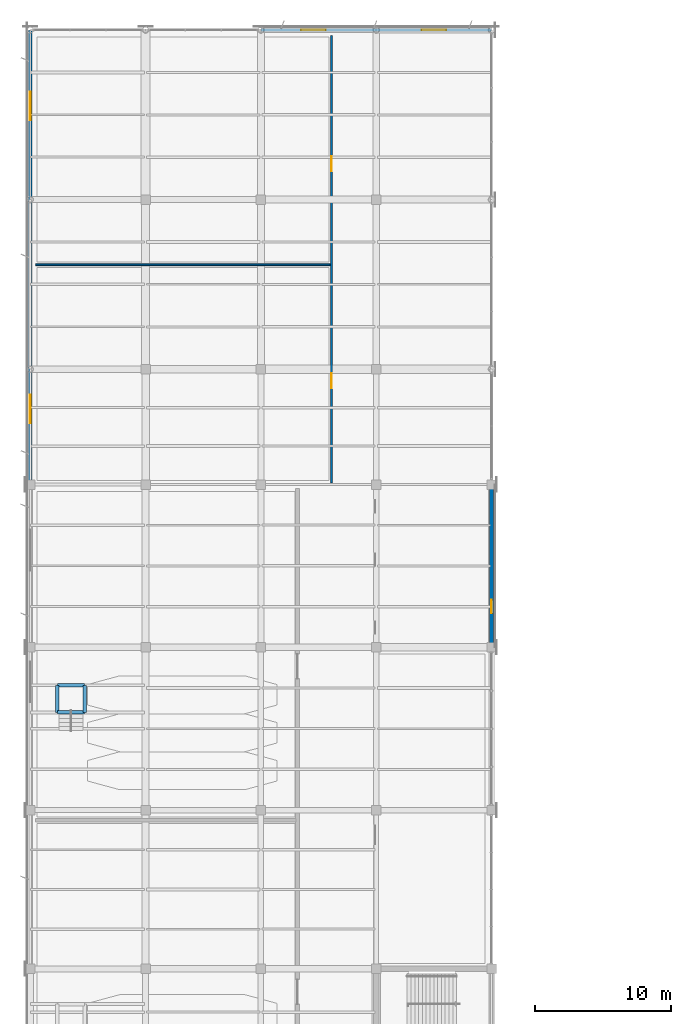
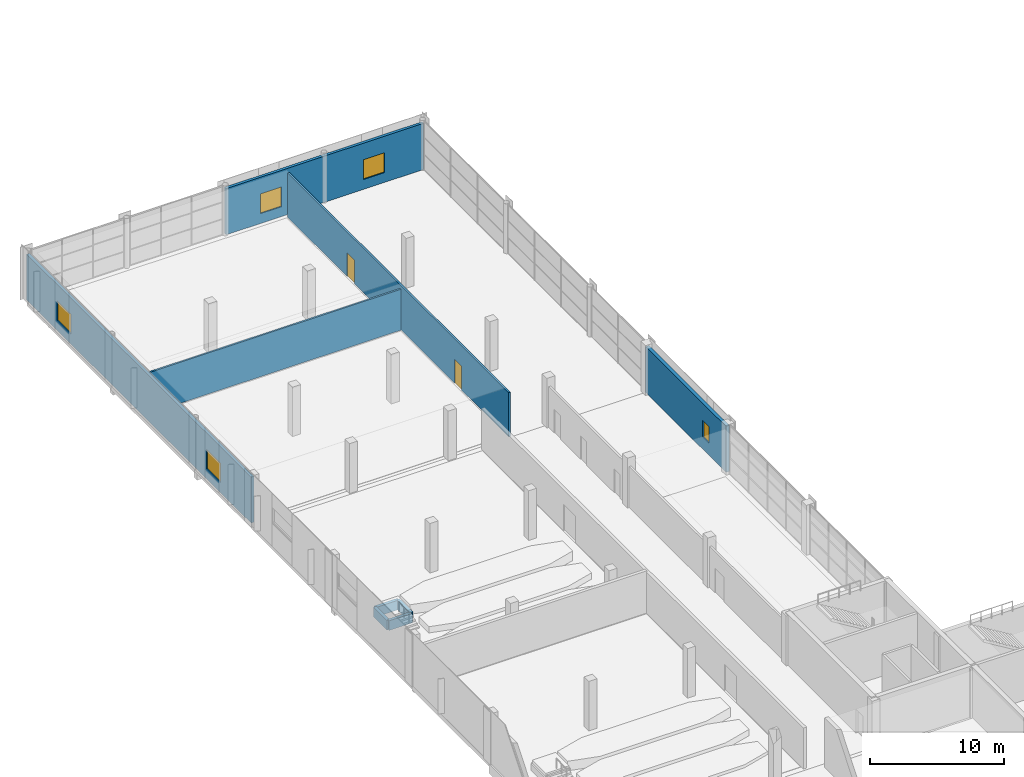
# One storey, part 93 of 112: 9 walls, 5 windows, 2 doors, 7 openings.
"""IFC4 building model written with IfcOpenShell, lengths in metres."""

from ifc_helpers import new_model, si_unit, direction, frame, frame_2d, origin, place, context, subcontext, project, spatial, rectangle, extrude, material, layer, layer_set, type_object, element, fill, save


model = new_model("IFC4")

# Units and contexts
model_context = context("Model", 3, precision=1e-05, world=origin(), true_north=direction((0.0, 1.0)))
body_context = subcontext(model_context, "Body", "Model", "MODEL_VIEW")
ifc_project = project(units=[si_unit("LENGTHUNIT", "METRE"), si_unit("AREAUNIT", "SQUARE_METRE"), si_unit("VOLUMEUNIT", "CUBIC_METRE"), si_unit("PLANEANGLEUNIT", "RADIAN"), si_unit("MASSUNIT", "GRAM", prefix="KILO")], contexts=[model_context])

# Site, building, storey
site_placement = place(None, origin())
site = spatial("IfcSite", under=ifc_project, at=site_placement, CompositionType="ELEMENT")
building_placement = place(site_placement, origin())
building = spatial("IfcBuilding", under=site, at=building_placement, Name="Solvikara Media Centre", CompositionType="ELEMENT")
storey_placement = place(building_placement, frame((0.0, 0.0, 5.39990234375)))
storey = spatial("IfcBuildingStorey", under=building, at=storey_placement, Name="L01", CompositionType="ELEMENT", Elevation=5.39990234375)

# Walls
ifc_material_1 = material(Name="Concrete fc' 45 MPa (C45/55)", Category="concrete")
ifc_layer_1 = layer(ifc_material_1, 0.25)
ifc_layer_set_1 = layer_set([ifc_layer_1], Name="Concrete fc' 45 MPa (C45/55)")
wall_type_1 = type_object("IfcWallType", Name="WT-07", PredefinedType="STANDARD", material=ifc_layer_set_1)
for number, where, z_axis, x_axis, name in (
    (1, (2.0, 63.699951171875, -0.260009765625), (0.0, 0.0, 1.0), (1.0, 0.0, 0.0), "VW-ST-MX5-AISLE-1"),
    (2, (2.0, 65.699951171875, -0.260009765625), (0.0, 0.0, 1.0), (1.0, 0.0, 0.0), "VW-ST-MX5-AISLE-2"),
    (3, (4.0, 63.699951171875, -0.260009765625), (0.0, 0.0, 1.0), (0.0, 1.0, 0.0), "VW-ST-MX5-AISLE-3"),
    (4, (2.0, 63.699951171875, -0.260009765625), (0.0, 0.0, 1.0), (0.0, 1.0, 0.0), "VW-ST-MX5-AISLE-4"),
):
    element("IfcWall", number, at=place(storey_placement, frame(where, z_axis=z_axis, x_axis=x_axis)), inside=storey, type_object=wall_type_1, Name=name, PredefinedType="STANDARD", context=body_context, shape_type="SweptSolid", body=[
        extrude(rectangle(XDim=2.0, YDim=0.25, at=frame_2d((1.0, 0.0))), origin(), (0.0, 0.0, 1.0), 0.8701171875),
    ])

# Wall, opening, window
ifc_material_2 = material(Name="Precast concrete fc' 40 MPa (C40/50)", Category="concrete")
ifc_layer_2 = layer(ifc_material_2, 0.2900390625)
ifc_layer_set_2 = layer_set([ifc_layer_2], Name="Precast concrete fc' 40 MPa (C40/50)")
wall_type_2 = type_object("IfcWallType", Name="WT-11", PredefinedType="STANDARD", material=ifc_layer_set_2)
wall_1_placement = place(storey_placement, frame((34.0, 68.5, 0.0), z_axis=(0.0, 0.0, 1.0), x_axis=(0.0, 1.0, 0.0)))
wall_1 = element("IfcWall", 5, at=wall_1_placement, inside=storey, type_object=wall_type_2, Name="EW-L01-V4-E", PredefinedType="STANDARD", context=body_context, shape_type="SweptSolid", body=[
    extrude(rectangle(XDim=12.0, YDim=0.2900390625, at=frame_2d((6.0, 0.0))), origin(), (0.0, 0.0, 1.0), 4.177978515625),
])
opening_1_placement = place(wall_1_placement, frame((2.5, 0.0, 1.10009765625)))
opening_1 = element("IfcOpeningElement", 6, at=opening_1_placement, cuts=wall_1, Name="Opening W-L01-V4E-W01", PredefinedType="OPENING", context=body_context, shape_type="SweptSolid", body=[
    extrude(rectangle(XDim=1.0, YDim=1.5, at=frame_2d((0.5, 0.75))), frame((0.0, 0.156982421875, 0.0), z_axis=(0.0, -1.0, 0.0), x_axis=(1.0, 0.0, 0.0)), (0.0, 0.0, 1.0), 0.31396484375),
])
ifc_material_3 = material(Name="Double-glazed low-E architectural glass", Category="glass")
window_type_1 = type_object("IfcWindowType", Name="WN-11", PartitioningType="SINGLE_PANEL", PredefinedType="WINDOW", material=ifc_material_3)
window_1_placement = place(opening_1_placement, origin())
window_1 = element("IfcWindow", 7, at=window_1_placement, inside=storey, type_object=window_type_1, Name="W-L01-V4E-W01", OverallHeight=1.5, OverallWidth=1.0, PartitioningType="SINGLE_PANEL", PredefinedType="WINDOW", context=body_context, shape_type="SweptSolid", body=[
    extrude(rectangle(XDim=1.0, YDim=1.5, at=frame_2d((0.5, 0.75))), frame((0.0, 0.030029296875, 0.0), z_axis=(0.0, -1.0, 0.0), x_axis=(1.0, 0.0, 0.0)), (0.0, 0.0, 1.0), 0.06005859375),
])
fill(opening_1, window_1)

# Wall, openings, windows
ifc_layer_3 = layer(ifc_material_2, 0.239990234375)
ifc_layer_set_3 = layer_set([ifc_layer_3], Name="Precast concrete fc' 40 MPa (C40/50)")
wall_type_3 = type_object("IfcWallType", Name="WT-13", PredefinedType="STANDARD", material=ifc_layer_set_3)
wall_2_placement = place(storey_placement, frame((0.0, 80.5, 0.0), z_axis=(0.0, 0.0, 1.0), x_axis=(0.0, 1.0, 0.0)))
wall_2 = element("IfcWall", 8, at=wall_2_placement, inside=storey, type_object=wall_type_3, Name="EW-L01-V3-W", PredefinedType="STANDARD", context=body_context, shape_type="SweptSolid", body=[
    extrude(rectangle(XDim=33.5, YDim=0.239990234375, at=frame_2d((16.75, 0.0))), origin(), (0.0, 0.0, 1.0), 4.168212890625),
])
opening_2_placement = place(wall_2_placement, frame((4.532958984375, 0.0, 0.89990234375)))
opening_2 = element("IfcOpeningElement", 9, at=opening_2_placement, cuts=wall_2, Name="Opening W-L01-V3W-W01", PredefinedType="OPENING", context=body_context, shape_type="SweptSolid", body=[
    extrude(rectangle(XDim=2.10009765625, YDim=1.800048828125, at=frame_2d((1.050048828125, 0.89990234375))), frame((0.0, 0.1318359375, 0.0), z_axis=(0.0, -1.0, 0.0), x_axis=(1.0, 0.0, 0.0)), (0.0, 0.0, 1.0), 0.263916015625),
])
opening_3_placement = place(wall_2_placement, frame((26.866943359375, 0.0, 0.89990234375)))
opening_3 = element("IfcOpeningElement", 10, at=opening_3_placement, cuts=wall_2, Name="Opening W-L01-V3W-W03", PredefinedType="OPENING", context=body_context, shape_type="SweptSolid", body=[
    extrude(rectangle(XDim=2.10009765625, YDim=1.800048828125, at=frame_2d((1.050048828125, 0.89990234375))), frame((0.0, 0.1318359375, 0.0), z_axis=(0.0, -1.0, 0.0), x_axis=(1.0, 0.0, 0.0)), (0.0, 0.0, 1.0), 0.263916015625),
])
window_type_2 = type_object("IfcWindowType", Name="WN-04", PartitioningType="SINGLE_PANEL", PredefinedType="WINDOW", material=ifc_material_3)
window_2_placement = place(opening_2_placement, origin())
window_2 = element("IfcWindow", 11, at=window_2_placement, inside=storey, type_object=window_type_2, Name="W-L01-V3W-W01", OverallHeight=1.800048828125, OverallWidth=2.10009765625, PartitioningType="SINGLE_PANEL", PredefinedType="WINDOW", context=body_context, shape_type="SweptSolid", body=[
    extrude(rectangle(XDim=2.10009765625, YDim=1.800048828125, at=frame_2d((1.050048828125, 0.89990234375))), frame((0.0, 0.030029296875, 0.0), z_axis=(0.0, -1.0, 0.0), x_axis=(1.0, 0.0, 0.0)), (0.0, 0.0, 1.0), 0.06005859375),
])
fill(opening_2, window_2)
window_3_placement = place(opening_3_placement, origin())
window_3 = element("IfcWindow", 12, at=window_3_placement, inside=storey, type_object=window_type_2, Name="W-L01-V3W-W03", OverallHeight=1.800048828125, OverallWidth=2.10009765625, PartitioningType="SINGLE_PANEL", PredefinedType="WINDOW", context=body_context, shape_type="SweptSolid", body=[
    extrude(rectangle(XDim=2.10009765625, YDim=1.800048828125, at=frame_2d((1.050048828125, 0.89990234375))), frame((0.0, 0.030029296875, 0.0), z_axis=(0.0, -1.0, 0.0), x_axis=(1.0, 0.0, 0.0)), (0.0, 0.0, 1.0), 0.06005859375),
])
fill(opening_3, window_3)

wall_3_placement = place(storey_placement, frame((17.0, 114.0, 0.0), z_axis=(0.0, 0.0, 1.0), x_axis=(1.0, 0.0, 0.0)))
wall_3 = element("IfcWall", 13, at=wall_3_placement, inside=storey, type_object=wall_type_3, Name="EW-L01-V3-N", PredefinedType="STANDARD", context=body_context, shape_type="SweptSolid", body=[
    extrude(rectangle(XDim=17.0, YDim=0.239990234375, at=frame_2d((8.5, 0.0))), origin(), (0.0, 0.0, 1.0), 4.2080078125),
])
opening_4_placement = place(wall_3_placement, frame((2.969970703125, 0.0, 0.89990234375)))
opening_4 = element("IfcOpeningElement", 14, at=opening_4_placement, cuts=wall_3, Name="Opening W-L01-V3N-W01", PredefinedType="OPENING", context=body_context, shape_type="SweptSolid", body=[
    extrude(rectangle(XDim=1.800048828125, YDim=1.800048828125, at=frame_2d((0.89990234375, 0.89990234375))), frame((0.0, 0.1318359375, 0.0), z_axis=(0.0, -1.0, 0.0), x_axis=(1.0, 0.0, 0.0)), (0.0, 0.0, 1.0), 0.263916015625),
])
opening_5_placement = place(wall_3_placement, frame((11.85009765625, 0.0, 0.89990234375)))
opening_5 = element("IfcOpeningElement", 15, at=opening_5_placement, cuts=wall_3, Name="Opening W-L01-V3N-W02", PredefinedType="OPENING", context=body_context, shape_type="SweptSolid", body=[
    extrude(rectangle(XDim=1.800048828125, YDim=1.800048828125, at=frame_2d((0.89990234375, 0.89990234375))), frame((0.0, 0.1318359375, 0.0), z_axis=(0.0, -1.0, 0.0), x_axis=(1.0, 0.0, 0.0)), (0.0, 0.0, 1.0), 0.263916015625),
])
window_type_3 = type_object("IfcWindowType", Name="WN-03", PartitioningType="SINGLE_PANEL", PredefinedType="WINDOW", material=ifc_material_3)
window_4_placement = place(opening_4_placement, origin())
window_4 = element("IfcWindow", 16, at=window_4_placement, inside=storey, type_object=window_type_3, Name="W-L01-V3N-W01", OverallHeight=1.800048828125, OverallWidth=1.800048828125, PartitioningType="SINGLE_PANEL", PredefinedType="WINDOW", context=body_context, shape_type="SweptSolid", body=[
    extrude(rectangle(XDim=1.800048828125, YDim=1.800048828125, at=frame_2d((0.89990234375, 0.89990234375))), frame((0.0, 0.030029296875, 0.0), z_axis=(0.0, -1.0, 0.0), x_axis=(1.0, 0.0, 0.0)), (0.0, 0.0, 1.0), 0.06005859375),
])
fill(opening_4, window_4)
window_5_placement = place(opening_5_placement, origin())
window_5 = element("IfcWindow", 17, at=window_5_placement, inside=storey, type_object=window_type_3, Name="W-L01-V3N-W02", OverallHeight=1.800048828125, OverallWidth=1.800048828125, PartitioningType="SINGLE_PANEL", PredefinedType="WINDOW", context=body_context, shape_type="SweptSolid", body=[
    extrude(rectangle(XDim=1.800048828125, YDim=1.800048828125, at=frame_2d((0.89990234375, 0.89990234375))), frame((0.0, 0.030029296875, 0.0), z_axis=(0.0, -1.0, 0.0), x_axis=(1.0, 0.0, 0.0)), (0.0, 0.0, 1.0), 0.06005859375),
])
fill(opening_5, window_5)

# Wall, openings, doors
ifc_material_4 = material(Name="Double-stud acoustic gypsum partition assembly")
ifc_layer_4 = layer(ifc_material_4, 0.159912109375)
ifc_layer_set_4 = layer_set([ifc_layer_4], Name="Double-stud acoustic gypsum partition assembly")
wall_type_4 = type_object("IfcWallType", Name="WT-19", PredefinedType="PARTITIONING", material=ifc_layer_set_4)
wall_4_placement = place(storey_placement, frame((22.199951171875, 80.60009765625, 0.0), z_axis=(0.0, 0.0, 1.0), x_axis=(0.0, 1.0, 0.0)))
wall_4 = element("IfcWall", 18, at=wall_4_placement, inside=storey, type_object=wall_type_4, Name="PW-L01-046", PredefinedType="PARTITIONING", context=body_context, shape_type="SweptSolid", body=[
    extrude(rectangle(XDim=33.0, YDim=0.159912109375, at=frame_2d((16.5, 0.0))), origin(), (0.0, 0.0, 1.0), 4.028076171875),
])
opening_6_placement = place(wall_4_placement, frame((7.0, 0.0, 0.0)))
opening_6 = element("IfcOpeningElement", 19, at=opening_6_placement, cuts=wall_4, Name="Opening D-L01-046-1", PredefinedType="OPENING", context=body_context, shape_type="SweptSolid", body=[
    extrude(rectangle(XDim=1.10009765625, YDim=2.14990234375, at=frame_2d((0.550048828125, 1.074951171875))), frame((0.0, 0.091796875, 0.0), z_axis=(0.0, -1.0, 0.0), x_axis=(1.0, 0.0, 0.0)), (0.0, 0.0, 1.0), 0.183837890625),
])
opening_7_placement = place(wall_4_placement, frame((23.0, 0.0, 0.0)))
opening_7 = element("IfcOpeningElement", 20, at=opening_7_placement, cuts=wall_4, Name="Opening D-L01-046-2", PredefinedType="OPENING", context=body_context, shape_type="SweptSolid", body=[
    extrude(rectangle(XDim=1.10009765625, YDim=2.14990234375, at=frame_2d((0.550048828125, 1.074951171875))), frame((0.0, 0.091796875, 0.0), z_axis=(0.0, -1.0, 0.0), x_axis=(1.0, 0.0, 0.0)), (0.0, 0.0, 1.0), 0.183837890625),
])
ifc_material_5 = material(Name="Solid core acoustic hardwood timber", Category="wood")
door_type = type_object("IfcDoorType", Name="DT-19", OperationType="NOTDEFINED", PredefinedType="DOOR", material=ifc_material_5)
door_1_placement = place(opening_6_placement, origin())
door_1 = element("IfcDoor", 21, at=door_1_placement, inside=storey, type_object=door_type, Name="D-L01-046-1", OperationType="SINGLE_SWING_LEFT", OverallHeight=2.14990234375, OverallWidth=1.10009765625, PredefinedType="DOOR", context=body_context, shape_type="SweptSolid", body=[
    extrude(rectangle(XDim=1.10009765625, YDim=2.14990234375, at=frame_2d((0.550048828125, 1.074951171875))), frame((0.0, 0.02490234375, 0.0), z_axis=(0.0, -1.0, 0.0), x_axis=(1.0, 0.0, 0.0)), (0.0, 0.0, 1.0), 0.050048828125),
])
fill(opening_6, door_1)
door_2_placement = place(opening_7_placement, origin())
door_2 = element("IfcDoor", 22, at=door_2_placement, inside=storey, type_object=door_type, Name="D-L01-046-2", OperationType="SINGLE_SWING_RIGHT", OverallHeight=2.14990234375, OverallWidth=1.10009765625, PredefinedType="DOOR", context=body_context, shape_type="SweptSolid", body=[
    extrude(rectangle(XDim=1.10009765625, YDim=2.14990234375, at=frame_2d((0.550048828125, 1.074951171875))), frame((0.0, 0.02490234375, 0.0), z_axis=(0.0, -1.0, 0.0), x_axis=(1.0, 0.0, 0.0)), (0.0, 0.0, 1.0), 0.050048828125),
])
fill(opening_7, door_2)

# Wall
ifc_layer_5 = layer(ifc_material_4, 0.139892578125)
ifc_layer_set_5 = layer_set([ifc_layer_5], Name="Double-stud acoustic gypsum partition assembly")
wall_type_5 = type_object("IfcWallType", Name="WT-20", PredefinedType="PARTITIONING", material=ifc_layer_set_5)
wall_5_placement = place(storey_placement, frame((0.39990234375, 96.699951171875, 0.0), z_axis=(0.0, 0.0, 1.0), x_axis=(1.0, 0.0, 0.0)))
element("IfcWall", 23, at=wall_5_placement, inside=storey, type_object=wall_type_5, Name="PW-L01-047", PredefinedType="PARTITIONING", context=body_context, shape_type="SweptSolid", body=[
    extrude(rectangle(XDim=21.7001953125, YDim=0.139892578125, at=frame_2d((10.85009765625, 0.0))), origin(), (0.0, 0.0, 1.0), 3.72802734375),
])

save(model, "model.ifc")
